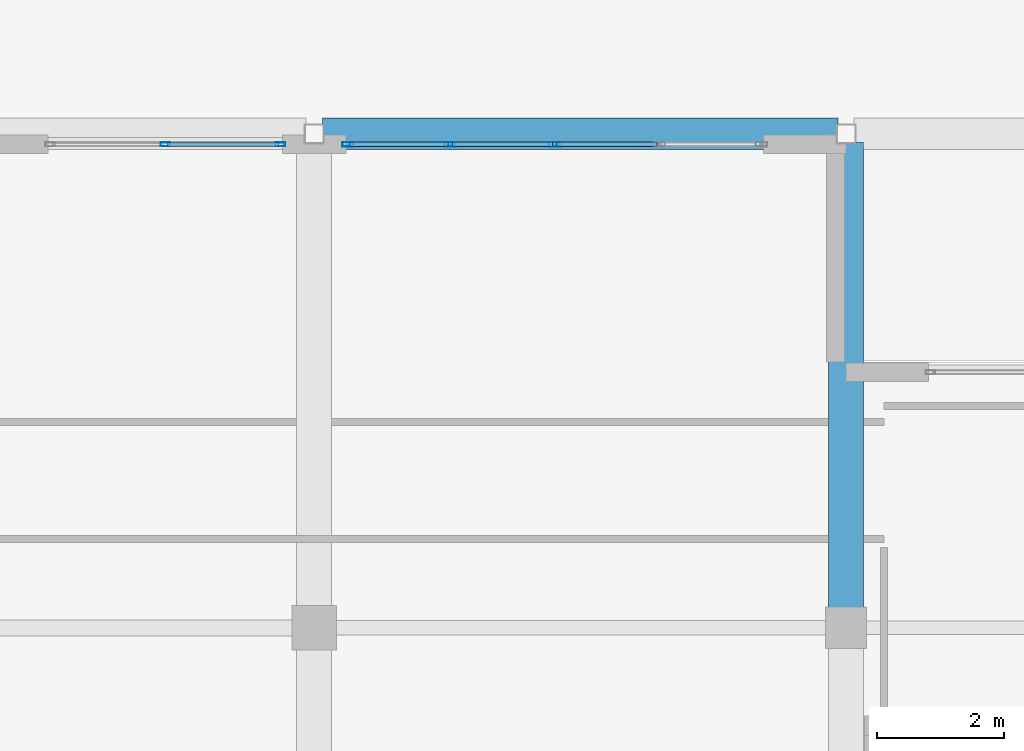
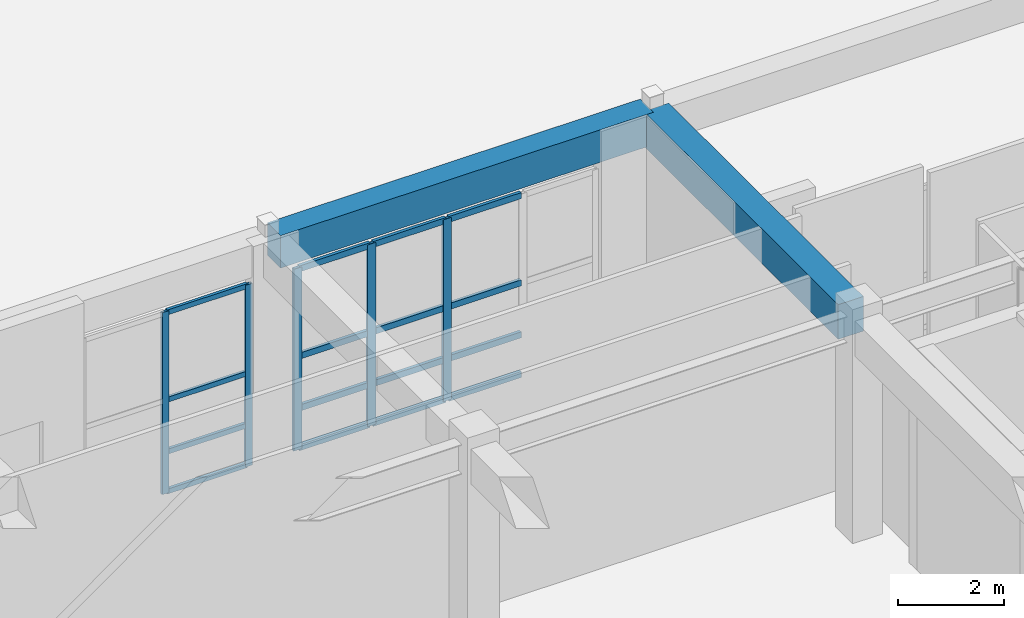
# One storey, part 34 of 148: 21 members, 2 beams, 2 elements without a shape of their own.
"""IFC4 building model written with IfcOpenShell, lengths in metres."""

from ifc_helpers import new_model, si_unit, direction, frame, origin, origin_2d, place, context, subcontext, project, spatial, rectangle, hollow_rectangle, extrude, material, layer, layer_set, material_profile, profile_set, type_object, element, aggregate, save


model = new_model("IFC4")

# Units and contexts
model_context = context("Model", 3, precision=1e-05, world=origin(), true_north=direction((0.0, 1.0)))
body_context = subcontext(model_context, "Body", "Model", "MODEL_VIEW")
ifc_project = project(units=[si_unit("LENGTHUNIT", "METRE"), si_unit("AREAUNIT", "SQUARE_METRE"), si_unit("VOLUMEUNIT", "CUBIC_METRE"), si_unit("PLANEANGLEUNIT", "RADIAN"), si_unit("MASSUNIT", "GRAM", prefix="KILO")], contexts=[model_context])

# Site, building, storey
site_placement = place(None, origin())
site = spatial("IfcSite", under=ifc_project, at=site_placement, CompositionType="ELEMENT")
building_placement = place(site_placement, origin())
building = spatial("IfcBuilding", under=site, at=building_placement, Name="Quendrovan Civic Courthouse", CompositionType="ELEMENT")
storey_placement = place(building_placement, origin())
storey = spatial("IfcBuildingStorey", under=building, at=storey_placement, Name="L01", CompositionType="ELEMENT", Elevation=0.0)

# Beams
ifc_material_1 = material(Name="Concrete C40/50", Category="concrete")
ifc_material_profile_1 = material_profile(ifc_material_1, rectangle(XDim=0.5, YDim=0.75, at=origin_2d()), Name="RC-BM-500x750")
ifc_profile_set_1 = profile_set([ifc_material_profile_1], Name="Concrete C40/50")
beam_type_1 = type_object("IfcBeamType", Name="BM-RC750", PredefinedType="SPANDREL", material=ifc_profile_set_1)
beam_1_placement = place(storey_placement, frame((67.330078125, 15.60009765625, 4.7451171875), z_axis=(1.0, 0.0, 0.0), x_axis=(0.0, 1.0, 0.0)))
element("IfcBeam", 1, at=beam_1_placement, inside=storey, type_object=beam_type_1, Name="L01 Girder X0273", PredefinedType="SPANDREL", context=body_context, shape_type="SweptSolid", body=[
    extrude(rectangle(XDim=0.5, YDim=0.75, at=origin_2d()), origin(), (0.0, 0.0, 1.0), 8.139892578125),
])
ifc_material_profile_2 = material_profile(ifc_material_1, rectangle(XDim=0.550048828125, YDim=0.800048828125, at=origin_2d()), Name="RC-BM-550x800")
ifc_profile_set_2 = profile_set([ifc_material_profile_2], Name="Concrete C40/50")
beam_type_2 = type_object("IfcBeamType", Name="BM-RC800", PredefinedType="BEAM", material=ifc_profile_set_2)
beam_2_placement = place(storey_placement, frame((75.60009765625, 8.10498046875, 4.719970703125), z_axis=(0.0, 1.0, 0.0), x_axis=(-1.0, 0.0, 0.0)))
element("IfcBeam", 2, at=beam_2_placement, inside=storey, type_object=beam_type_2, Name="L01 Girder Y0432", PredefinedType="BEAM", context=body_context, shape_type="SweptSolid", body=[
    extrude(rectangle(XDim=0.550048828125, YDim=0.800048828125, at=origin_2d()), origin(), (0.0, 0.0, 1.0), 7.364990234375),
])

# Curtain wall, members
ifc_material_2 = material(Name="Bronze anodised aluminium and low-E glass", Category="aluminium")
ifc_layer_1 = layer(ifc_material_2, 0.179931640625, Name="Bronze anodised aluminium and low-E glass")
ifc_layer_set_1 = layer_set([ifc_layer_1], Name="Bronze anodised aluminium and low-E glass")
curtain_wall_type_1 = type_object("IfcCurtainWallType", Name="CW-U66x42", PredefinedType="USERDEFINED", material=ifc_layer_set_1)
curtain_wall_1_placement = place(storey_placement, origin())
curtain_wall_1 = element("IfcCurtainWall", 3, at=curtain_wall_1_placement, inside=storey, type_object=curtain_wall_type_1, Name="L01 Unitised Hurricane Curtain Wall CW-010", ObjectType="UNITISED CURTAIN WALL", PredefinedType="USERDEFINED")
ifc_material_3 = material(Name="Bronze anodised aluminium", Category="aluminium")
ifc_material_profile_3 = material_profile(ifc_material_3, hollow_rectangle(XDim=0.070068359375, YDim=0.179931640625, WallThickness=0.00390625, at=origin_2d()), Name="CW-MULL-70x180")
ifc_profile_set_3 = profile_set([ifc_material_profile_3], Name="Bronze anodised aluminium")
member_type_1 = type_object("IfcMemberType", Name="CW-MULL-A", PredefinedType="MULLION", material=ifc_profile_set_3)
member_1_placement = place(storey_placement, frame((67.735107421875, 15.43505859375, 0.0), z_axis=(0.0, 0.0, 1.0), x_axis=(0.0, 1.0, 0.0)))
member_1 = element("IfcMember", 4, at=member_1_placement, type_object=member_type_1, Name="CW-010 mullion 1", PredefinedType="MULLION", context=body_context, shape_type="SweptSolid", body=[
    extrude(hollow_rectangle(XDim=0.070068359375, YDim=0.179931640625, WallThickness=0.00390625, at=origin_2d()), origin(), (0.0, 0.0, 1.0), 4.199951171875),
])
member_2_placement = place(storey_placement, frame((69.35009765625, 15.43505859375, 0.0), z_axis=(0.0, 0.0, 1.0), x_axis=(0.0, 1.0, 0.0)))
member_2 = element("IfcMember", 5, at=member_2_placement, type_object=member_type_1, Name="CW-010 mullion 2", PredefinedType="MULLION", context=body_context, shape_type="SweptSolid", body=[
    extrude(hollow_rectangle(XDim=0.070068359375, YDim=0.179931640625, WallThickness=0.00390625, at=origin_2d()), origin(), (0.0, 0.0, 1.0), 4.199951171875),
])
member_3_placement = place(storey_placement, frame((71.0, 15.43505859375, 0.0), z_axis=(0.0, 0.0, 1.0), x_axis=(0.0, 1.0, 0.0)))
member_3 = element("IfcMember", 6, at=member_3_placement, type_object=member_type_1, Name="CW-010 mullion 3", PredefinedType="MULLION", context=body_context, shape_type="SweptSolid", body=[
    extrude(hollow_rectangle(XDim=0.070068359375, YDim=0.179931640625, WallThickness=0.00390625, at=origin_2d()), origin(), (0.0, 0.0, 1.0), 4.199951171875),
])

ifc_layer_2 = layer(ifc_material_2, 0.179931640625, Name="Bronze anodised aluminium and low-E glass")
ifc_layer_set_2 = layer_set([ifc_layer_2], Name="Bronze anodised aluminium and low-E glass")
curtain_wall_type_2 = type_object("IfcCurtainWallType", Name="CW-U37x42", PredefinedType="USERDEFINED", material=ifc_layer_set_2)
curtain_wall_2_placement = place(storey_placement, origin())
curtain_wall_2 = element("IfcCurtainWall", 7, at=curtain_wall_2_placement, inside=storey, type_object=curtain_wall_type_2, Name="L01 Unitised Hurricane Curtain Wall CW-009", ObjectType="UNITISED CURTAIN WALL", PredefinedType="USERDEFINED")
ifc_material_profile_4 = material_profile(ifc_material_3, hollow_rectangle(XDim=0.06494140625, YDim=0.14990234375, WallThickness=0.00390625, at=origin_2d()), Name="CW-MULL-65x150")
ifc_profile_set_4 = profile_set([ifc_material_profile_4], Name="Bronze anodised aluminium")
member_type_2 = type_object("IfcMemberType", Name="CW-MULL-B", PredefinedType="MULLION", material=ifc_profile_set_4)
member_4_placement = place(storey_placement, frame((64.85009765625, 15.43505859375, 0.0), z_axis=(0.0, 0.0, 1.0), x_axis=(0.0, 1.0, 0.0)))
member_4 = element("IfcMember", 8, at=member_4_placement, type_object=member_type_2, Name="CW-009 mullion 2", PredefinedType="MULLION", context=body_context, shape_type="SweptSolid", body=[
    extrude(hollow_rectangle(XDim=0.06494140625, YDim=0.14990234375, WallThickness=0.00390625, at=origin_2d()), origin(), (0.0, 0.0, 1.0), 4.199951171875),
])
member_5_placement = place(storey_placement, frame((66.66748046875, 15.43505859375, 0.0), z_axis=(0.0, 0.0, 1.0), x_axis=(0.0, 1.0, 0.0)))
member_5 = element("IfcMember", 9, at=member_5_placement, type_object=member_type_2, Name="CW-009 mullion 3", PredefinedType="MULLION", context=body_context, shape_type="SweptSolid", body=[
    extrude(hollow_rectangle(XDim=0.06494140625, YDim=0.14990234375, WallThickness=0.00390625, at=origin_2d()), origin(), (0.0, 0.0, 1.0), 4.199951171875),
])

# Member
ifc_material_profile_5 = material_profile(ifc_material_3, hollow_rectangle(XDim=0.070068359375, YDim=0.139892578125, WallThickness=0.00390625, at=origin_2d()), Name="CW-TRAN-70x140")
ifc_profile_set_5 = profile_set([ifc_material_profile_5], Name="Bronze anodised aluminium")
member_type_3 = type_object("IfcMemberType", Name="CW-TRAN-A", PredefinedType="USERDEFINED", material=ifc_profile_set_5)
member_6_placement = place(storey_placement, frame((67.77001953125, 15.43505859375, 0.034912109375), z_axis=(1.0, 0.0, 0.0), x_axis=(0.0, 1.0, 0.0)))
member_6 = element("IfcMember", 10, at=member_6_placement, type_object=member_type_3, Name="CW-010 transom 1.1", ObjectType="TRANSOM", PredefinedType="USERDEFINED", context=body_context, shape_type="SweptSolid", body=[
    extrude(hollow_rectangle(XDim=0.070068359375, YDim=0.139892578125, WallThickness=0.00390625, at=origin_2d()), origin(), (0.0, 0.0, 1.0), 1.544921875),
])

member_7_placement = place(storey_placement, frame((67.77001953125, 15.43505859375, 0.949951171875), z_axis=(1.0, 0.0, 0.0), x_axis=(0.0, 1.0, 0.0)))
member_7 = element("IfcMember", 11, at=member_7_placement, type_object=member_type_3, Name="CW-010 transom 1.2", ObjectType="TRANSOM", PredefinedType="USERDEFINED", context=body_context, shape_type="SweptSolid", body=[
    extrude(hollow_rectangle(XDim=0.070068359375, YDim=0.139892578125, WallThickness=0.00390625, at=origin_2d()), origin(), (0.0, 0.0, 1.0), 1.544921875),
])

member_8_placement = place(storey_placement, frame((67.77001953125, 15.43505859375, 2.14990234375), z_axis=(1.0, 0.0, 0.0), x_axis=(0.0, 1.0, 0.0)))
member_8 = element("IfcMember", 12, at=member_8_placement, type_object=member_type_3, Name="CW-010 transom 1.3", ObjectType="TRANSOM", PredefinedType="USERDEFINED", context=body_context, shape_type="SweptSolid", body=[
    extrude(hollow_rectangle(XDim=0.070068359375, YDim=0.139892578125, WallThickness=0.00390625, at=origin_2d()), origin(), (0.0, 0.0, 1.0), 1.544921875),
])

member_9_placement = place(storey_placement, frame((67.77001953125, 15.43505859375, 4.1650390625), z_axis=(1.0, 0.0, 0.0), x_axis=(0.0, 1.0, 0.0)))
member_9 = element("IfcMember", 13, at=member_9_placement, type_object=member_type_3, Name="CW-010 transom 1.4", ObjectType="TRANSOM", PredefinedType="USERDEFINED", context=body_context, shape_type="SweptSolid", body=[
    extrude(hollow_rectangle(XDim=0.070068359375, YDim=0.139892578125, WallThickness=0.00390625, at=origin_2d()), origin(), (0.0, 0.0, 1.0), 1.544921875),
])

member_10_placement = place(storey_placement, frame((69.385009765625, 15.43505859375, 0.034912109375), z_axis=(1.0, 0.0, 0.0), x_axis=(0.0, 1.0, 0.0)))
member_10 = element("IfcMember", 14, at=member_10_placement, type_object=member_type_3, Name="CW-010 transom 2.1", ObjectType="TRANSOM", PredefinedType="USERDEFINED", context=body_context, shape_type="SweptSolid", body=[
    extrude(hollow_rectangle(XDim=0.070068359375, YDim=0.139892578125, WallThickness=0.00390625, at=origin_2d()), origin(), (0.0, 0.0, 1.0), 1.580078125),
])

member_11_placement = place(storey_placement, frame((69.385009765625, 15.43505859375, 0.949951171875), z_axis=(1.0, 0.0, 0.0), x_axis=(0.0, 1.0, 0.0)))
member_11 = element("IfcMember", 15, at=member_11_placement, type_object=member_type_3, Name="CW-010 transom 2.2", ObjectType="TRANSOM", PredefinedType="USERDEFINED", context=body_context, shape_type="SweptSolid", body=[
    extrude(hollow_rectangle(XDim=0.070068359375, YDim=0.139892578125, WallThickness=0.00390625, at=origin_2d()), origin(), (0.0, 0.0, 1.0), 1.580078125),
])

member_12_placement = place(storey_placement, frame((69.385009765625, 15.43505859375, 2.14990234375), z_axis=(1.0, 0.0, 0.0), x_axis=(0.0, 1.0, 0.0)))
member_12 = element("IfcMember", 16, at=member_12_placement, type_object=member_type_3, Name="CW-010 transom 2.3", ObjectType="TRANSOM", PredefinedType="USERDEFINED", context=body_context, shape_type="SweptSolid", body=[
    extrude(hollow_rectangle(XDim=0.070068359375, YDim=0.139892578125, WallThickness=0.00390625, at=origin_2d()), origin(), (0.0, 0.0, 1.0), 1.580078125),
])

member_13_placement = place(storey_placement, frame((69.385009765625, 15.43505859375, 4.1650390625), z_axis=(1.0, 0.0, 0.0), x_axis=(0.0, 1.0, 0.0)))
member_13 = element("IfcMember", 17, at=member_13_placement, type_object=member_type_3, Name="CW-010 transom 2.4", ObjectType="TRANSOM", PredefinedType="USERDEFINED", context=body_context, shape_type="SweptSolid", body=[
    extrude(hollow_rectangle(XDim=0.070068359375, YDim=0.139892578125, WallThickness=0.00390625, at=origin_2d()), origin(), (0.0, 0.0, 1.0), 1.580078125),
])

member_14_placement = place(storey_placement, frame((71.034912109375, 15.43505859375, 0.034912109375), z_axis=(1.0, 0.0, 0.0), x_axis=(0.0, 1.0, 0.0)))
member_14 = element("IfcMember", 18, at=member_14_placement, type_object=member_type_3, Name="CW-010 transom 3.1", ObjectType="TRANSOM", PredefinedType="USERDEFINED", context=body_context, shape_type="SweptSolid", body=[
    extrude(hollow_rectangle(XDim=0.070068359375, YDim=0.139892578125, WallThickness=0.00390625, at=origin_2d()), origin(), (0.0, 0.0, 1.0), 1.580078125),
])

member_15_placement = place(storey_placement, frame((71.034912109375, 15.43505859375, 0.949951171875), z_axis=(1.0, 0.0, 0.0), x_axis=(0.0, 1.0, 0.0)))
member_15 = element("IfcMember", 19, at=member_15_placement, type_object=member_type_3, Name="CW-010 transom 3.2", ObjectType="TRANSOM", PredefinedType="USERDEFINED", context=body_context, shape_type="SweptSolid", body=[
    extrude(hollow_rectangle(XDim=0.070068359375, YDim=0.139892578125, WallThickness=0.00390625, at=origin_2d()), origin(), (0.0, 0.0, 1.0), 1.580078125),
])

member_16_placement = place(storey_placement, frame((71.034912109375, 15.43505859375, 2.14990234375), z_axis=(1.0, 0.0, 0.0), x_axis=(0.0, 1.0, 0.0)))
member_16 = element("IfcMember", 20, at=member_16_placement, type_object=member_type_3, Name="CW-010 transom 3.3", ObjectType="TRANSOM", PredefinedType="USERDEFINED", context=body_context, shape_type="SweptSolid", body=[
    extrude(hollow_rectangle(XDim=0.070068359375, YDim=0.139892578125, WallThickness=0.00390625, at=origin_2d()), origin(), (0.0, 0.0, 1.0), 1.580078125),
])

member_17_placement = place(storey_placement, frame((71.034912109375, 15.43505859375, 4.1650390625), z_axis=(1.0, 0.0, 0.0), x_axis=(0.0, 1.0, 0.0)))
member_17 = element("IfcMember", 21, at=member_17_placement, type_object=member_type_3, Name="CW-010 transom 3.4", ObjectType="TRANSOM", PredefinedType="USERDEFINED", context=body_context, shape_type="SweptSolid", body=[
    extrude(hollow_rectangle(XDim=0.070068359375, YDim=0.139892578125, WallThickness=0.00390625, at=origin_2d()), origin(), (0.0, 0.0, 1.0), 1.580078125),
])

aggregate(curtain_wall_1, [member_1, member_2, member_3, member_6, member_7, member_8, member_9, member_10, member_11, member_12, member_13, member_14, member_15, member_16, member_17])

ifc_material_profile_6 = material_profile(ifc_material_3, hollow_rectangle(XDim=0.06494140625, YDim=0.114990234375, WallThickness=0.00390625, at=origin_2d()), Name="CW-TRAN-65x115")
ifc_profile_set_6 = profile_set([ifc_material_profile_6], Name="Bronze anodised aluminium")
member_type_4 = type_object("IfcMemberType", Name="CW-TRAN-B", PredefinedType="USERDEFINED", material=ifc_profile_set_6)
member_18_placement = place(storey_placement, frame((64.882568359375, 15.43505859375, 0.032470703125), z_axis=(1.0, 0.0, 0.0), x_axis=(0.0, 1.0, 0.0)))
member_18 = element("IfcMember", 22, at=member_18_placement, type_object=member_type_4, Name="CW-009 transom 2.1", ObjectType="TRANSOM", PredefinedType="USERDEFINED", context=body_context, shape_type="SweptSolid", body=[
    extrude(hollow_rectangle(XDim=0.06494140625, YDim=0.114990234375, WallThickness=0.00390625, at=origin_2d()), origin(), (0.0, 0.0, 1.0), 1.75244140625),
])

member_19_placement = place(storey_placement, frame((64.882568359375, 15.43505859375, 0.949951171875), z_axis=(1.0, 0.0, 0.0), x_axis=(0.0, 1.0, 0.0)))
member_19 = element("IfcMember", 23, at=member_19_placement, type_object=member_type_4, Name="CW-009 transom 2.2", ObjectType="TRANSOM", PredefinedType="USERDEFINED", context=body_context, shape_type="SweptSolid", body=[
    extrude(hollow_rectangle(XDim=0.06494140625, YDim=0.114990234375, WallThickness=0.00390625, at=origin_2d()), origin(), (0.0, 0.0, 1.0), 1.75244140625),
])

member_20_placement = place(storey_placement, frame((64.882568359375, 15.43505859375, 2.14990234375), z_axis=(1.0, 0.0, 0.0), x_axis=(0.0, 1.0, 0.0)))
member_20 = element("IfcMember", 24, at=member_20_placement, type_object=member_type_4, Name="CW-009 transom 2.3", ObjectType="TRANSOM", PredefinedType="USERDEFINED", context=body_context, shape_type="SweptSolid", body=[
    extrude(hollow_rectangle(XDim=0.06494140625, YDim=0.114990234375, WallThickness=0.00390625, at=origin_2d()), origin(), (0.0, 0.0, 1.0), 1.75244140625),
])

member_21_placement = place(storey_placement, frame((64.882568359375, 15.43505859375, 4.16748046875), z_axis=(1.0, 0.0, 0.0), x_axis=(0.0, 1.0, 0.0)))
member_21 = element("IfcMember", 25, at=member_21_placement, type_object=member_type_4, Name="CW-009 transom 2.4", ObjectType="TRANSOM", PredefinedType="USERDEFINED", context=body_context, shape_type="SweptSolid", body=[
    extrude(hollow_rectangle(XDim=0.06494140625, YDim=0.114990234375, WallThickness=0.00390625, at=origin_2d()), origin(), (0.0, 0.0, 1.0), 1.75244140625),
])

aggregate(curtain_wall_2, [member_4, member_5, member_18, member_19, member_20, member_21])

save(model, "model.ifc")
